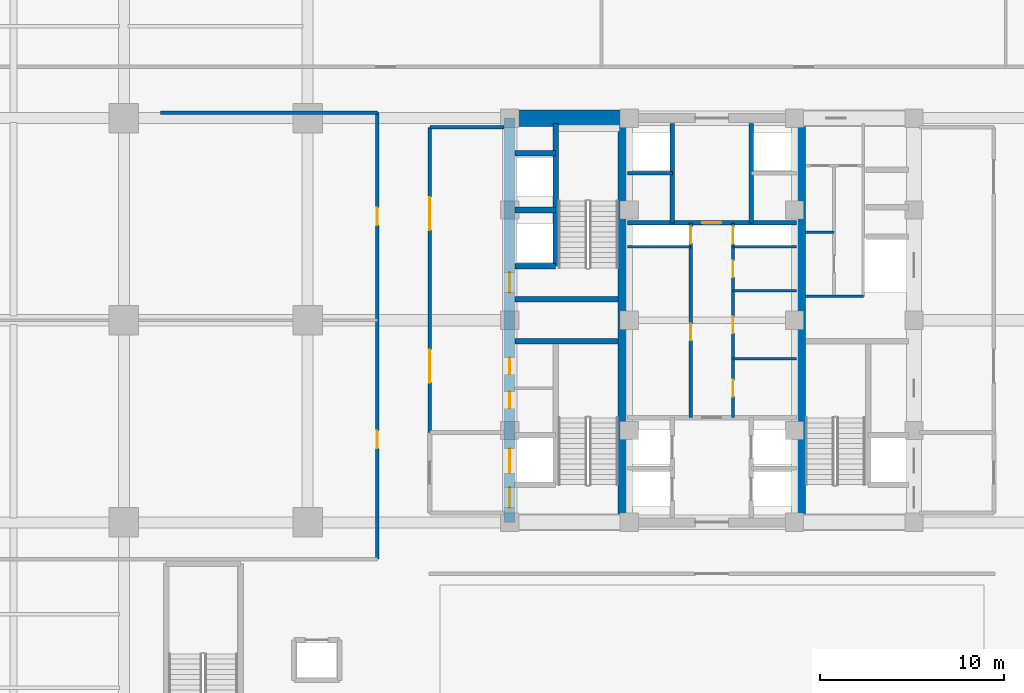
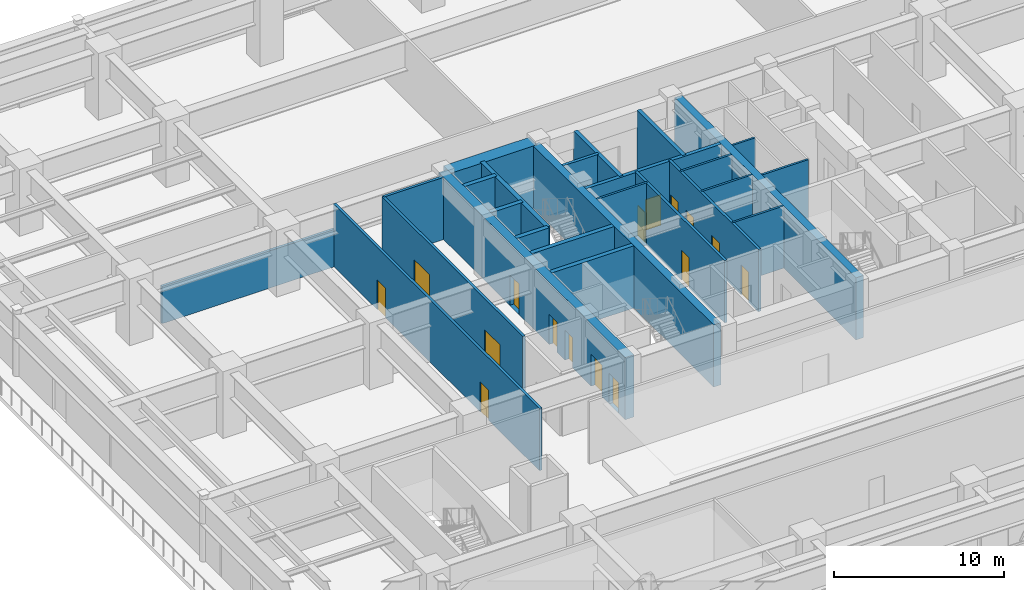
# One storey, part 27 of 38: 26 walls, 16 doors, 16 openings.
"""IFC4 building model written with IfcOpenShell, lengths in metres."""

from ifc_helpers import new_model, si_unit, direction, frame, frame_2d, origin, place, context, subcontext, project, spatial, rectangle, extrude, source, transform, mapped, material, layer, layer_set, type_object, element, fill, save


model = new_model("IFC4")

# Units and contexts
model_context = context("Model", 3, precision=1e-05, world=origin(), true_north=direction((0.0, 1.0)))
body_context = subcontext(model_context, "Body", "Model", "MODEL_VIEW")
ifc_project = project(units=[si_unit("LENGTHUNIT", "METRE"), si_unit("AREAUNIT", "SQUARE_METRE"), si_unit("VOLUMEUNIT", "CUBIC_METRE"), si_unit("PLANEANGLEUNIT", "RADIAN"), si_unit("MASSUNIT", "GRAM", prefix="KILO")], contexts=[model_context])

# Site, building, storey
site_placement = place(None, origin())
site = spatial("IfcSite", under=ifc_project, at=site_placement, CompositionType="ELEMENT")
building_placement = place(site_placement, origin())
building = spatial("IfcBuilding", under=site, at=building_placement, Name="Khorayat Bourse Tower", CompositionType="ELEMENT")
storey_placement = place(building_placement, frame((0.0, 0.0, 17.39990234375)))
storey = spatial("IfcBuildingStorey", under=building, at=storey_placement, Name="L03", CompositionType="ELEMENT", Elevation=17.39990234375)

# Wall, openings, doors
ifc_material_1 = material(Name="Concrete C60/75", Category="concrete")
ifc_layer_1 = layer(ifc_material_1, 0.60009765625)
ifc_layer_set_1 = layer_set([ifc_layer_1], Name="Concrete C60/75")
wall_type_1 = type_object("IfcWallType", Name="WAL-CORE-600", PredefinedType="SHEAR", material=ifc_layer_set_1)
shared_shape_1 = source(origin(), body_context, "Body", "SweptSolid", [
    extrude(rectangle(XDim=22.0, YDim=0.60009765625, at=frame_2d((11.0, 0.0))), origin(), (0.0, 0.0, 1.0), 4.47998046875),
])
wall_1_placement = place(storey_placement, frame((-11.0, -11.0, 0.0), z_axis=(0.0, 0.0, 1.0), x_axis=(0.0, 1.0, 0.0)))
wall_1 = element("IfcWall", 1, at=wall_1_placement, inside=storey, type_object=wall_type_1, Name="L03 Core Shear Wall CORE-W", PredefinedType="SHEAR", context=body_context, shape_type="MappedRepresentation", body=[
    mapped(shared_shape_1, transform((0.0, 0.0, 0.0), scale=1.0)),
])
shared_shape_2 = source(origin(), body_context, "Body", "SweptSolid", [
    extrude(rectangle(XDim=1.10009765625, YDim=2.199951171875, at=frame_2d((0.550048828125, 1.10009765625))), frame((0.0, 0.31005859375, 0.0), z_axis=(0.0, -1.0, 0.0), x_axis=(1.0, 0.0, 0.0)), (0.0, 0.0, 1.0), 0.6201171875),
])
opening_1_placement = place(wall_1_placement, frame((0.800048828125, 0.0, 0.0)))
opening_1 = element("IfcOpeningElement", 2, at=opening_1_placement, cuts=wall_1, Name="Opening DI-01", PredefinedType="OPENING", context=body_context, shape_type="MappedRepresentation", body=[
    mapped(shared_shape_2, transform((0.0, 0.0, 0.0), scale=1.0)),
])
opening_2_placement = place(wall_1_placement, frame((12.5, 0.0, 0.0)))
opening_2 = element("IfcOpeningElement", 3, at=opening_2_placement, cuts=wall_1, Name="Opening DI-01", PredefinedType="OPENING", context=body_context, shape_type="MappedRepresentation", body=[
    mapped(shared_shape_2, transform((0.0, 0.0, 0.0), scale=1.0)),
])
shared_shape_3 = source(origin(), body_context, "Body", "SweptSolid", [
    extrude(rectangle(XDim=0.89990234375, YDim=2.14990234375, at=frame_2d((0.449951171875, 1.074951171875))), frame((0.0, 0.31005859375, 0.0), z_axis=(0.0, -1.0, 0.0), x_axis=(1.0, 0.0, 0.0)), (0.0, 0.0, 1.0), 0.6201171875),
])
opening_3_placement = place(wall_1_placement, frame((6.199951171875, 0.0, 0.0)))
opening_3 = element("IfcOpeningElement", 4, at=opening_3_placement, cuts=wall_1, Name="Opening DI-06", PredefinedType="OPENING", context=body_context, shape_type="MappedRepresentation", body=[
    mapped(shared_shape_3, transform((0.0, 0.0, 0.0), scale=1.0)),
])
opening_4_placement = place(wall_1_placement, frame((8.050048828125, 0.0, 0.0)))
opening_4 = element("IfcOpeningElement", 5, at=opening_4_placement, cuts=wall_1, Name="Opening DI-06", PredefinedType="OPENING", context=body_context, shape_type="MappedRepresentation", body=[
    mapped(shared_shape_3, transform((0.0, 0.0, 0.0), scale=1.0)),
])
shared_shape_4 = source(origin(), body_context, "Body", "SweptSolid", [
    extrude(rectangle(XDim=1.300048828125, YDim=2.300048828125, at=frame_2d((0.64990234375, 1.14990234375))), frame((0.0, 0.31005859375, 0.0), z_axis=(0.0, -1.0, 0.0), x_axis=(1.0, 0.0, 0.0)), (0.0, 0.0, 1.0), 0.6201171875),
])
opening_5_placement = place(wall_1_placement, frame((2.699951171875, 0.0, 0.0)))
opening_5 = element("IfcOpeningElement", 6, at=opening_5_placement, cuts=wall_1, Name="Opening LD-02", PredefinedType="OPENING", context=body_context, shape_type="MappedRepresentation", body=[
    mapped(shared_shape_4, transform((0.0, 0.0, 0.0), scale=1.0)),
])
ifc_material_2 = material(Name="Fire-rated steel acoustic leaf", Category="steel")
door_type_1 = type_object("IfcDoorType", Name="DR-INT-STAIR-1100", OperationType="NOTDEFINED", PredefinedType="DOOR", material=ifc_material_2)
shared_shape_5 = source(origin(), body_context, "Body", "SweptSolid", [
    extrude(rectangle(XDim=1.10009765625, YDim=2.199951171875, at=frame_2d((0.550048828125, 1.10009765625))), frame((0.0, 0.02490234375, 0.0), z_axis=(0.0, -1.0, 0.0), x_axis=(1.0, 0.0, 0.0)), (0.0, 0.0, 1.0), 0.050048828125),
])
door_1_placement = place(opening_1_placement, origin())
door_1 = element("IfcDoor", 7, at=door_1_placement, inside=storey, type_object=door_type_1, Name="L03 Exit Stair 1 Door", OperationType="SINGLE_SWING_RIGHT", OverallHeight=2.199951171875, OverallWidth=1.10009765625, PredefinedType="DOOR", context=body_context, shape_type="MappedRepresentation", body=[
    mapped(shared_shape_5, transform((0.0, 0.0, 0.0), scale=1.0)),
])
fill(opening_1, door_1)
door_2_placement = place(opening_2_placement, origin())
door_2 = element("IfcDoor", 8, at=door_2_placement, inside=storey, type_object=door_type_1, Name="L03 Exit Stair 2 Door", OperationType="SINGLE_SWING_RIGHT", OverallHeight=2.199951171875, OverallWidth=1.10009765625, PredefinedType="DOOR", context=body_context, shape_type="MappedRepresentation", body=[
    mapped(shared_shape_5, transform((0.0, 0.0, 0.0), scale=1.0)),
])
fill(opening_2, door_2)
ifc_material_3 = material(Name="Moisture-resistant laminate washroom door")
door_type_2 = type_object("IfcDoorType", Name="DR-INT-WC-900", OperationType="NOTDEFINED", PredefinedType="DOOR", material=ifc_material_3)
shared_shape_6 = source(origin(), body_context, "Body", "SweptSolid", [
    extrude(rectangle(XDim=0.89990234375, YDim=2.14990234375, at=frame_2d((0.449951171875, 1.074951171875))), frame((0.0, 0.02490234375, 0.0), z_axis=(0.0, -1.0, 0.0), x_axis=(1.0, 0.0, 0.0)), (0.0, 0.0, 1.0), 0.050048828125),
])
door_3_placement = place(opening_3_placement, origin())
door_3 = element("IfcDoor", 9, at=door_3_placement, inside=storey, type_object=door_type_2, Name="L03 Electrical Plant Room Door", OperationType="SINGLE_SWING_RIGHT", OverallHeight=2.14990234375, OverallWidth=0.89990234375, PredefinedType="DOOR", context=body_context, shape_type="MappedRepresentation", body=[
    mapped(shared_shape_6, transform((0.0, 0.0, 0.0), scale=1.0)),
])
fill(opening_3, door_3)
door_4_placement = place(opening_4_placement, origin())
door_4 = element("IfcDoor", 10, at=door_4_placement, inside=storey, type_object=door_type_2, Name="L03 Cleaner Storage Room Door", OperationType="SINGLE_SWING_LEFT", OverallHeight=2.14990234375, OverallWidth=0.89990234375, PredefinedType="DOOR", context=body_context, shape_type="MappedRepresentation", body=[
    mapped(shared_shape_6, transform((0.0, 0.0, 0.0), scale=1.0)),
])
fill(opening_4, door_4)
ifc_material_4 = material(Name="Fire-rated stainless-steel sliding landing door", Category="steel")
door_type_3 = type_object("IfcDoorType", Name="DR-LIFT-FF-1300", OperationType="NOTDEFINED", PredefinedType="DOOR", material=ifc_material_4)
shared_shape_7 = source(origin(), body_context, "Body", "SweptSolid", [
    extrude(rectangle(XDim=1.300048828125, YDim=2.300048828125, at=frame_2d((0.64990234375, 1.14990234375))), frame((0.0, 0.02490234375, 0.0), z_axis=(0.0, -1.0, 0.0), x_axis=(1.0, 0.0, 0.0)), (0.0, 0.0, 1.0), 0.050048828125),
])
door_5_placement = place(opening_5_placement, origin())
door_5 = element("IfcDoor", 11, at=door_5_placement, inside=storey, type_object=door_type_3, Name="L03 Lift FFL-01 Sliding Landing Door", OperationType="SLIDING_TO_LEFT", OverallHeight=2.300048828125, OverallWidth=1.300048828125, PredefinedType="DOOR", context=body_context, shape_type="MappedRepresentation", body=[
    mapped(shared_shape_7, transform((0.0, 0.0, 0.0), scale=1.0)),
])
fill(opening_5, door_5)

# Walls
ifc_material_5 = material(Name="Concrete C52/65", Category="concrete")
ifc_layer_2 = layer(ifc_material_5, 0.5)
ifc_layer_set_2 = layer_set([ifc_layer_2], Name="Concrete C52/65")
wall_type_2 = type_object("IfcWallType", Name="WAL-CORE-500", PredefinedType="SHEAR", material=ifc_layer_set_2)
shared_shape_8 = source(origin(), body_context, "Body", "SweptSolid", [
    extrude(rectangle(XDim=21.39990234375, YDim=0.5, at=frame_2d((10.699951171875, 0.0))), origin(), (0.0, 0.0, 1.0), 4.47998046875),
])
for number, where, z_axis, x_axis, name in (
    (12, (-4.85009765625, -10.699951171875, 0.0), (0.0, 0.0, 1.0), (0.0, 1.0, 0.0), "L03 Core Shear Wall PIER-W"),
    (13, (4.85009765625, -10.699951171875, 0.0), (0.0, 0.0, 1.0), (0.0, 1.0, 0.0), "L03 Core Shear Wall PIER-E"),
):
    element("IfcWall", number, at=place(storey_placement, frame(where, z_axis=z_axis, x_axis=x_axis)), inside=storey, type_object=wall_type_2, Name=name, PredefinedType="SHEAR", context=body_context, shape_type="MappedRepresentation", body=[
        mapped(shared_shape_8, transform((0.0, 0.0, 0.0), scale=1.0)),
    ])
ifc_material_6 = material(Name="Concrete C72/90", Category="concrete")
ifc_layer_3 = layer(ifc_material_6, 0.89990234375)
ifc_layer_set_3 = layer_set([ifc_layer_3], Name="Concrete C72/90")
wall_type_3 = type_object("IfcWallType", Name="WAL-CORE-900", PredefinedType="SHEAR", material=ifc_layer_set_3)
shared_shape_9 = source(origin(), body_context, "Body", "SweptSolid", [
    extrude(rectangle(XDim=5.849853515625, YDim=0.89990234375, at=frame_2d((2.9248046875, 0.0))), origin(), (0.0, 0.0, 1.0), 4.47998046875),
])
wall_2_placement = place(storey_placement, frame((-10.699951171875, 11.0, 0.0), z_axis=(0.0, 0.0, 1.0), x_axis=(1.0, 0.0, 0.0)))
element("IfcWall", 14, at=wall_2_placement, inside=storey, type_object=wall_type_3, Name="L03 Core Shear Wall PIER-WN", PredefinedType="SHEAR", context=body_context, shape_type="MappedRepresentation", body=[
    mapped(shared_shape_9, transform((0.0, 0.0, 0.0), scale=1.0)),
])
ifc_material_7 = material(Name="Concrete C50/60", Category="concrete")
ifc_layer_4 = layer(ifc_material_7, 0.300048828125)
ifc_layer_set_4 = layer_set([ifc_layer_4], Name="Concrete C50/60")
wall_type_4 = type_object("IfcWallType", Name="WAL-SHAFT-300", PredefinedType="SHEAR", material=ifc_layer_set_4)
shared_shape_10 = source(origin(), body_context, "Body", "SweptSolid", [
    extrude(rectangle(XDim=5.599853515625, YDim=0.300048828125, at=frame_2d((2.7998046875, 0.0))), origin(), (0.0, 0.0, 1.0), 4.47998046875),
])
for number, where, z_axis, x_axis, name in (
    (15, (-10.699951171875, -1.14990234375, 0.0), (0.0, 0.0, 1.0), (1.0, 0.0, 0.0), "L03 Core Shear Wall ST1-DIV"),
    (16, (-10.699951171875, 1.14990234375, 0.0), (0.0, 0.0, 1.0), (1.0, 0.0, 0.0), "L03 Core Shear Wall ST2-DIV"),
):
    element("IfcWall", number, at=place(storey_placement, frame(where, z_axis=z_axis, x_axis=x_axis)), inside=storey, type_object=wall_type_4, Name=name, PredefinedType="SHEAR", context=body_context, shape_type="MappedRepresentation", body=[
        mapped(shared_shape_10, transform((0.0, 0.0, 0.0), scale=1.0)),
    ])
shared_shape_11 = source(origin(), body_context, "Body", "SweptSolid", [
    extrude(rectangle(XDim=2.199951171875, YDim=0.300048828125, at=frame_2d((1.10009765625, 0.0))), origin(), (0.0, 0.0, 1.0), 4.47998046875),
])
for number, where, z_axis, x_axis, name in (
    (17, (-10.699951171875, 2.949951171875, 0.0), (0.0, 0.0, 1.0), (1.0, 0.0, 0.0), "L03 Partition WAL-L03-WPIER-H1S"),
    (18, (-10.699951171875, 6.0, 0.0), (0.0, 0.0, 1.0), (1.0, 0.0, 0.0), "L03 Partition WAL-L03-WPIER-H12"),
    (19, (-10.699951171875, 9.10009765625, 0.0), (0.0, 0.0, 1.0), (1.0, 0.0, 0.0), "L03 Partition WAL-L03-WPIER-H2N"),
):
    element("IfcWall", number, at=place(storey_placement, frame(where, z_axis=z_axis, x_axis=x_axis)), inside=storey, type_object=wall_type_4, Name=name, PredefinedType="SHEAR", context=body_context, shape_type="MappedRepresentation", body=[
        mapped(shared_shape_11, transform((0.0, 0.0, 0.0), scale=1.0)),
    ])
shared_shape_12 = source(origin(), body_context, "Body", "SweptSolid", [
    extrude(rectangle(XDim=7.75, YDim=0.300048828125, at=frame_2d((3.875, 0.0))), origin(), (0.0, 0.0, 1.0), 4.47998046875),
])
wall_3_placement = place(storey_placement, frame((-8.5, 2.949951171875, 0.0), z_axis=(0.0, 0.0, 1.0), x_axis=(0.0, 1.0, 0.0)))
element("IfcWall", 20, at=wall_3_placement, inside=storey, type_object=wall_type_4, Name="L03 Partition WAL-L03-WPIER-ST2S", PredefinedType="SHEAR", context=body_context, shape_type="MappedRepresentation", body=[
    mapped(shared_shape_12, transform((0.0, 0.0, 0.0), scale=1.0)),
])
ifc_material_8 = material(Name="Moisture-resistant masonry partition", Category="masonry")
ifc_layer_5 = layer(ifc_material_8, 0.139892578125)
ifc_layer_set_5 = layer_set([ifc_layer_5], Name="Moisture-resistant masonry partition")
wall_type_5 = type_object("IfcWallType", Name="WAL-PART-WET-140", PredefinedType="PARTITIONING", material=ifc_layer_set_5)
shared_shape_13 = source(origin(), body_context, "Body", "SweptSolid", [
    extrude(rectangle(XDim=3.14990234375, YDim=0.139892578125, at=frame_2d((1.574951171875, 0.0))), origin(), (0.0, 0.0, 1.0), 4.47998046875),
])
wall_4_placement = place(storey_placement, frame((5.10009765625, 1.300048828125, 0.0), z_axis=(0.0, 0.0, 1.0), x_axis=(1.0, 0.0, 0.0)))
element("IfcWall", 21, at=wall_4_placement, inside=storey, type_object=wall_type_5, Name="L03 Partition WAL-L03-ECORE-S", PredefinedType="PARTITIONING", context=body_context, shape_type="MappedRepresentation", body=[
    mapped(shared_shape_13, transform((0.0, 0.0, 0.0), scale=1.0)),
])
ifc_material_9 = material(Name="Gypsum plasterboard acoustic stud wall")
ifc_layer_6 = layer(ifc_material_9, 0.179931640625)
ifc_layer_set_6 = layer_set([ifc_layer_6], Name="Gypsum plasterboard acoustic stud wall")
wall_type_6 = type_object("IfcWallType", Name="WAL-PART-CORR-180", PredefinedType="PARTITIONING", material=ifc_layer_set_6)
shared_shape_14 = source(origin(), body_context, "Body", "SweptSolid", [
    extrude(rectangle(XDim=4.050048828125, YDim=0.179931640625, at=frame_2d((2.02490234375, 0.0))), origin(), (0.0, 0.0, 1.0), 4.47998046875),
])
wall_5_placement = place(storey_placement, frame((-15.35009765625, 10.5, 0.0), z_axis=(0.0, 0.0, 1.0), x_axis=(1.0, 0.0, 0.0)))
element("IfcWall", 22, at=wall_5_placement, inside=storey, type_object=wall_type_6, Name="L03 Partition WAL-L03-WLOB-N", PredefinedType="PARTITIONING", context=body_context, shape_type="MappedRepresentation", body=[
    mapped(shared_shape_14, transform((0.0, 0.0, 0.0), scale=1.0)),
])

# Wall, openings, doors
shared_shape_15 = source(origin(), body_context, "Body", "SweptSolid", [
    extrude(rectangle(XDim=16.60009765625, YDim=0.179931640625, at=frame_2d((8.300048828125, 0.0))), origin(), (0.0, 0.0, 1.0), 4.47998046875),
])
wall_6_placement = place(storey_placement, frame((-15.35009765625, -6.10009765625, 0.0), z_axis=(0.0, 0.0, 1.0), x_axis=(0.0, 1.0, 0.0)))
wall_6 = element("IfcWall", 23, at=wall_6_placement, inside=storey, type_object=wall_type_6, Name="L03 Partition WAL-L03-WLOB-W", PredefinedType="PARTITIONING", context=body_context, shape_type="MappedRepresentation", body=[
    mapped(shared_shape_15, transform((0.0, 0.0, 0.0), scale=1.0)),
])
shared_shape_16 = source(origin(), body_context, "Body", "SweptSolid", [
    extrude(rectangle(XDim=1.800048828125, YDim=2.25, at=frame_2d((0.89990234375, 1.125))), frame((0.0, 0.099853515625, 0.0), z_axis=(0.0, -1.0, 0.0), x_axis=(1.0, 0.0, 0.0)), (0.0, 0.0, 1.0), 0.199951171875),
])
opening_6_placement = place(wall_6_placement, frame((2.699951171875, 0.0, 0.0)))
opening_6 = element("IfcOpeningElement", 24, at=opening_6_placement, cuts=wall_6, Name="Opening DI-03", PredefinedType="OPENING", context=body_context, shape_type="MappedRepresentation", body=[
    mapped(shared_shape_16, transform((0.0, 0.0, 0.0), scale=1.0)),
])
opening_7_placement = place(wall_6_placement, frame((11.0, 0.0, 0.0)))
opening_7 = element("IfcOpeningElement", 25, at=opening_7_placement, cuts=wall_6, Name="Opening DI-03", PredefinedType="OPENING", context=body_context, shape_type="MappedRepresentation", body=[
    mapped(shared_shape_16, transform((0.0, 0.0, 0.0), scale=1.0)),
])
ifc_material_10 = material(Name="Fire-rated hardwood vision-panel double leaf", Category="wood")
door_type_4 = type_object("IfcDoorType", Name="DR-INT-CORR-1800", OperationType="NOTDEFINED", PredefinedType="DOOR", material=ifc_material_10)
shared_shape_17 = source(origin(), body_context, "Body", "SweptSolid", [
    extrude(rectangle(XDim=1.800048828125, YDim=2.25, at=frame_2d((0.89990234375, 1.125))), frame((0.0, 0.02490234375, 0.0), z_axis=(0.0, -1.0, 0.0), x_axis=(1.0, 0.0, 0.0)), (0.0, 0.0, 1.0), 0.050048828125),
])
door_6_placement = place(opening_6_placement, origin())
door_6 = element("IfcDoor", 26, at=door_6_placement, inside=storey, type_object=door_type_4, Name="L03 West Core Lobby South Door", OperationType="SINGLE_SWING_LEFT", OverallHeight=2.25, OverallWidth=1.800048828125, PredefinedType="DOOR", context=body_context, shape_type="MappedRepresentation", body=[
    mapped(shared_shape_17, transform((0.0, 0.0, 0.0), scale=1.0)),
])
fill(opening_6, door_6)
door_7_placement = place(opening_7_placement, origin())
door_7 = element("IfcDoor", 27, at=door_7_placement, inside=storey, type_object=door_type_4, Name="L03 West Core Lobby North Door", OperationType="SINGLE_SWING_RIGHT", OverallHeight=2.25, OverallWidth=1.800048828125, PredefinedType="DOOR", context=body_context, shape_type="MappedRepresentation", body=[
    mapped(shared_shape_17, transform((0.0, 0.0, 0.0), scale=1.0)),
])
fill(opening_7, door_7)

# Walls
ifc_material_11 = material(Name="Gypsum plasterboard twin-frame partition")
ifc_layer_7 = layer(ifc_material_11, 0.14990234375)
ifc_layer_set_7 = layer_set([ifc_layer_7], Name="Gypsum plasterboard twin-frame partition")
wall_type_7 = type_object("IfcWallType", Name="WAL-PART-SUITE-150", PredefinedType="PARTITIONING", material=ifc_layer_set_7)
shared_shape_18 = source(origin(), body_context, "Body", "SweptSolid", [
    extrude(rectangle(XDim=3.4501953125, YDim=0.14990234375, at=frame_2d((1.72509765625, 0.0))), origin(), (0.0, 0.0, 1.0), 4.47998046875),
])
for number, where, z_axis, x_axis, name in (
    (28, (-4.60009765625, 4.0, 0.0), (0.0, 0.0, 1.0), (1.0, 0.0, 0.0), "L03 Partition WAL-L03-CRSW-S"),
    (29, (1.14990234375, 4.0, 0.0), (0.0, 0.0, 1.0), (1.0, 0.0, 0.0), "L03 Partition WAL-L03-CRSE-S"),
):
    element("IfcWall", number, at=place(storey_placement, frame(where, z_axis=z_axis, x_axis=x_axis)), inside=storey, type_object=wall_type_7, Name=name, PredefinedType="PARTITIONING", context=body_context, shape_type="MappedRepresentation", body=[
        mapped(shared_shape_18, transform((0.0, 0.0, 0.0), scale=1.0)),
    ])
shared_shape_19 = source(origin(), body_context, "Body", "SweptSolid", [
    extrude(rectangle(XDim=5.39990234375, YDim=0.25, at=frame_2d((2.699951171875, 0.0))), origin(), (0.0, 0.0, 1.0), 4.47998046875),
])
for number, where, z_axis, x_axis, name in (
    (30, (-2.14990234375, 5.300048828125, 0.0), (0.0, 0.0, 1.0), (0.0, 1.0, 0.0), "L03 Partition WAL-L03-B2-W"),
    (31, (2.14990234375, 5.300048828125, 0.0), (0.0, 0.0, 1.0), (0.0, 1.0, 0.0), "L03 Partition WAL-L03-B2-E"),
):
    element("IfcWall", number, at=place(storey_placement, frame(where, z_axis=z_axis, x_axis=x_axis)), inside=storey, type_object=wall_type_4, Name=name, PredefinedType="SHEAR", context=body_context, shape_type="MappedRepresentation", body=[
        mapped(shared_shape_19, transform((0.0, 0.0, 0.0), scale=1.0)),
    ])
shared_shape_20 = source(origin(), body_context, "Body", "SweptSolid", [
    extrude(rectangle(XDim=2.4501953125, YDim=0.199951171875, at=frame_2d((1.22509765625, 0.0))), origin(), (0.0, 0.0, 1.0), 4.47998046875),
])
wall_7_placement = place(storey_placement, frame((-4.60009765625, 8.0, 0.0), z_axis=(0.0, 0.0, 1.0), x_axis=(1.0, 0.0, 0.0)))
element("IfcWall", 32, at=wall_7_placement, inside=storey, type_object=wall_type_4, Name="L03 Partition WAL-L03-B2-MW", PredefinedType="SHEAR", context=body_context, shape_type="MappedRepresentation", body=[
    mapped(shared_shape_20, transform((0.0, 0.0, 0.0), scale=1.0)),
])

# Wall, opening, door
shared_shape_21 = source(origin(), body_context, "Body", "SweptSolid", [
    extrude(rectangle(XDim=9.2001953125, YDim=0.25, at=frame_2d((4.60009765625, 0.0))), origin(), (0.0, 0.0, 1.0), 4.47998046875),
])
wall_8_placement = place(storey_placement, frame((-4.60009765625, 5.300048828125, 0.0), z_axis=(0.0, 0.0, 1.0), x_axis=(1.0, 0.0, 0.0)))
wall_8 = element("IfcWall", 33, at=wall_8_placement, inside=storey, type_object=wall_type_4, Name="L03 Partition WAL-L03-B2-S", PredefinedType="SHEAR", context=body_context, shape_type="MappedRepresentation", body=[
    mapped(shared_shape_21, transform((0.0, 0.0, 0.0), scale=1.0)),
])
shared_shape_22 = source(origin(), body_context, "Body", "SweptSolid", [
    extrude(rectangle(XDim=1.050048828125, YDim=2.199951171875, at=frame_2d((0.52490234375, 1.10009765625))), frame((0.0, 0.135009765625, 0.0), z_axis=(0.0, -1.0, 0.0), x_axis=(1.0, 0.0, 0.0)), (0.0, 0.0, 1.0), 0.27001953125),
])
opening_8_placement = place(wall_8_placement, frame((4.074951171875, 0.0, 0.0)))
opening_8 = element("IfcOpeningElement", 34, at=opening_8_placement, cuts=wall_8, Name="Opening DI-04", PredefinedType="OPENING", context=body_context, shape_type="MappedRepresentation", body=[
    mapped(shared_shape_22, transform((0.0, 0.0, 0.0), scale=1.0)),
])
ifc_material_12 = material(Name="Fire-rated oak veneer suite entrance door")
door_type_5 = type_object("IfcDoorType", Name="DR-INT-SUITE-1050", OperationType="NOTDEFINED", PredefinedType="DOOR", material=ifc_material_12)
shared_shape_23 = source(origin(), body_context, "Body", "SweptSolid", [
    extrude(rectangle(XDim=1.050048828125, YDim=2.199951171875, at=frame_2d((0.52490234375, 1.10009765625))), frame((0.0, 0.02490234375, 0.0), z_axis=(0.0, -1.0, 0.0), x_axis=(1.0, 0.0, 0.0)), (0.0, 0.0, 1.0), 0.050048828125),
])
door_8_placement = place(opening_8_placement, origin())
door_8 = element("IfcDoor", 35, at=door_8_placement, inside=storey, type_object=door_type_5, Name="L03 Core Spine North Door", OperationType="SINGLE_SWING_RIGHT", OverallHeight=2.199951171875, OverallWidth=1.050048828125, PredefinedType="DOOR", context=body_context, shape_type="MappedRepresentation", body=[
    mapped(shared_shape_23, transform((0.0, 0.0, 0.0), scale=1.0)),
])
fill(opening_8, door_8)

# Walls
shared_shape_24 = source(origin(), body_context, "Body", "SweptSolid", [
    extrude(rectangle(XDim=3.4501953125, YDim=0.139892578125, at=frame_2d((1.72509765625, 0.0))), origin(), (0.0, 0.0, 1.0), 4.47998046875),
])
for number, where, z_axis, x_axis, name in (
    (36, (1.14990234375, -2.10009765625, 0.0), (0.0, 0.0, 1.0), (1.0, 0.0, 0.0), "L03 Partition WAL-L03-CME-D1"),
    (37, (1.14990234375, 1.60009765625, 0.0), (0.0, 0.0, 1.0), (1.0, 0.0, 0.0), "L03 Partition WAL-L03-CME-D2"),
):
    element("IfcWall", number, at=place(storey_placement, frame(where, z_axis=z_axis, x_axis=x_axis)), inside=storey, type_object=wall_type_5, Name=name, PredefinedType="PARTITIONING", context=body_context, shape_type="MappedRepresentation", body=[
        mapped(shared_shape_24, transform((0.0, 0.0, 0.0), scale=1.0)),
    ])

# Wall, openings, doors
shared_shape_25 = source(origin(), body_context, "Body", "SweptSolid", [
    extrude(rectangle(XDim=10.60009765625, YDim=0.179931640625, at=frame_2d((5.300048828125, 0.0))), origin(), (0.0, 0.0, 1.0), 4.47998046875),
])
wall_9_placement = place(storey_placement, frame((-1.14990234375, -5.300048828125, 0.0), z_axis=(0.0, 0.0, 1.0), x_axis=(0.0, 1.0, 0.0)))
wall_9 = element("IfcWall", 38, at=wall_9_placement, inside=storey, type_object=wall_type_6, Name="L03 Partition WAL-L03-CMW-L", PredefinedType="PARTITIONING", context=body_context, shape_type="MappedRepresentation", body=[
    mapped(shared_shape_25, transform((0.0, 0.0, 0.0), scale=1.0)),
])
shared_shape_26 = source(origin(), body_context, "Body", "SweptSolid", [
    extrude(rectangle(XDim=0.89990234375, YDim=2.14990234375, at=frame_2d((0.449951171875, 1.074951171875))), frame((0.0, 0.099853515625, 0.0), z_axis=(0.0, -1.0, 0.0), x_axis=(1.0, 0.0, 0.0)), (0.0, 0.0, 1.0), 0.199951171875),
])
opening_9_placement = place(wall_9_placement, frame((4.199951171875, 0.0, 0.0)))
opening_9 = element("IfcOpeningElement", 39, at=opening_9_placement, cuts=wall_9, Name="Opening DI-06", PredefinedType="OPENING", context=body_context, shape_type="MappedRepresentation", body=[
    mapped(shared_shape_26, transform((0.0, 0.0, 0.0), scale=1.0)),
])
opening_10_placement = place(wall_9_placement, frame((9.47509765625, 0.0, 0.0)))
opening_10 = element("IfcOpeningElement", 40, at=opening_10_placement, cuts=wall_9, Name="Opening DI-06", PredefinedType="OPENING", context=body_context, shape_type="MappedRepresentation", body=[
    mapped(shared_shape_26, transform((0.0, 0.0, 0.0), scale=1.0)),
])
door_9_placement = place(opening_9_placement, origin())
door_9 = element("IfcDoor", 41, at=door_9_placement, inside=storey, type_object=door_type_2, Name="L03 Male Core Washroom Door", OperationType="SINGLE_SWING_RIGHT", OverallHeight=2.14990234375, OverallWidth=0.89990234375, PredefinedType="DOOR", context=body_context, shape_type="MappedRepresentation", body=[
    mapped(shared_shape_6, transform((0.0, 0.0, 0.0), scale=1.0)),
])
fill(opening_9, door_9)
door_10_placement = place(opening_10_placement, origin())
door_10 = element("IfcDoor", 42, at=door_10_placement, inside=storey, type_object=door_type_2, Name="L03 West Core Riser Door", OperationType="SINGLE_SWING_LEFT", OverallHeight=2.14990234375, OverallWidth=0.89990234375, PredefinedType="DOOR", context=body_context, shape_type="MappedRepresentation", body=[
    mapped(shared_shape_6, transform((0.0, 0.0, 0.0), scale=1.0)),
])
fill(opening_10, door_10)

wall_10_placement = place(storey_placement, frame((1.14990234375, -5.300048828125, 0.0), z_axis=(0.0, 0.0, 1.0), x_axis=(0.0, 1.0, 0.0)))
wall_10 = element("IfcWall", 43, at=wall_10_placement, inside=storey, type_object=wall_type_6, Name="L03 Partition WAL-L03-CME-L", PredefinedType="PARTITIONING", context=body_context, shape_type="MappedRepresentation", body=[
    mapped(shared_shape_25, transform((0.0, 0.0, 0.0), scale=1.0)),
])
opening_11_placement = place(wall_10_placement, frame((1.14990234375, 0.0, 0.0)))
opening_11 = element("IfcOpeningElement", 44, at=opening_11_placement, cuts=wall_10, Name="Opening DI-06", PredefinedType="OPENING", context=body_context, shape_type="MappedRepresentation", body=[
    mapped(shared_shape_26, transform((0.0, 0.0, 0.0), scale=1.0)),
])
opening_12_placement = place(wall_10_placement, frame((4.60009765625, 0.0, 0.0)))
opening_12 = element("IfcOpeningElement", 45, at=opening_12_placement, cuts=wall_10, Name="Opening DI-06", PredefinedType="OPENING", context=body_context, shape_type="MappedRepresentation", body=[
    mapped(shared_shape_26, transform((0.0, 0.0, 0.0), scale=1.0)),
])
opening_13_placement = place(wall_10_placement, frame((7.64990234375, 0.0, 0.0)))
opening_13 = element("IfcOpeningElement", 46, at=opening_13_placement, cuts=wall_10, Name="Opening DI-06", PredefinedType="OPENING", context=body_context, shape_type="MappedRepresentation", body=[
    mapped(shared_shape_26, transform((0.0, 0.0, 0.0), scale=1.0)),
])
opening_14_placement = place(wall_10_placement, frame((9.47509765625, 0.0, 0.0)))
opening_14 = element("IfcOpeningElement", 47, at=opening_14_placement, cuts=wall_10, Name="Opening DI-06", PredefinedType="OPENING", context=body_context, shape_type="MappedRepresentation", body=[
    mapped(shared_shape_26, transform((0.0, 0.0, 0.0), scale=1.0)),
])
door_11_placement = place(opening_11_placement, origin())
door_11 = element("IfcDoor", 48, at=door_11_placement, inside=storey, type_object=door_type_2, Name="L03 Female Core Washroom Door", OperationType="SINGLE_SWING_RIGHT", OverallHeight=2.14990234375, OverallWidth=0.89990234375, PredefinedType="DOOR", context=body_context, shape_type="MappedRepresentation", body=[
    mapped(shared_shape_6, transform((0.0, 0.0, 0.0), scale=1.0)),
])
fill(opening_11, door_11)
door_12_placement = place(opening_12_placement, origin())
door_12 = element("IfcDoor", 49, at=door_12_placement, inside=storey, type_object=door_type_2, Name="L03 Cleaners Store Door", OperationType="SINGLE_SWING_LEFT", OverallHeight=2.14990234375, OverallWidth=0.89990234375, PredefinedType="DOOR", context=body_context, shape_type="MappedRepresentation", body=[
    mapped(shared_shape_6, transform((0.0, 0.0, 0.0), scale=1.0)),
])
fill(opening_12, door_12)
door_13_placement = place(opening_13_placement, origin())
door_13 = element("IfcDoor", 50, at=door_13_placement, inside=storey, type_object=door_type_2, Name="L03 Meter and BMS Plant Room Door", OperationType="SINGLE_SWING_RIGHT", OverallHeight=2.14990234375, OverallWidth=0.89990234375, PredefinedType="DOOR", context=body_context, shape_type="MappedRepresentation", body=[
    mapped(shared_shape_6, transform((0.0, 0.0, 0.0), scale=1.0)),
])
fill(opening_13, door_13)
door_14_placement = place(opening_14_placement, origin())
door_14 = element("IfcDoor", 51, at=door_14_placement, inside=storey, type_object=door_type_2, Name="L03 East Core Riser Door", OperationType="SINGLE_SWING_RIGHT", OverallHeight=2.14990234375, OverallWidth=0.89990234375, PredefinedType="DOOR", context=body_context, shape_type="MappedRepresentation", body=[
    mapped(shared_shape_6, transform((0.0, 0.0, 0.0), scale=1.0)),
])
fill(opening_14, door_14)

# Walls
shared_shape_27 = source(origin(), body_context, "Body", "SweptSolid", [
    extrude(rectangle(XDim=1.5498046875, YDim=0.139892578125, at=frame_2d((0.77490234375, 0.0))), origin(), (0.0, 0.0, 1.0), 4.47998046875),
])
wall_11_placement = place(storey_placement, frame((5.10009765625, 4.800048828125, 0.0), z_axis=(0.0, 0.0, 1.0), x_axis=(1.0, 0.0, 0.0)))
element("IfcWall", 52, at=wall_11_placement, inside=storey, type_object=wall_type_5, Name="L03 Partition WAL-L03-ECW-BOT", PredefinedType="PARTITIONING", context=body_context, shape_type="MappedRepresentation", body=[
    mapped(shared_shape_27, transform((0.0, 0.0, 0.0), scale=1.0)),
])
shared_shape_28 = source(origin(), body_context, "Body", "SweptSolid", [
    extrude(rectangle(XDim=11.800048828125, YDim=0.179931640625, at=frame_2d((5.89990234375, 0.0))), origin(), (0.0, 0.0, 1.0), 2.68017578125),
])
wall_12_placement = place(storey_placement, frame((-30.0, 11.300048828125, 0.0), z_axis=(0.0, 0.0, 1.0), x_axis=(1.0, 0.0, 0.0)))
element("IfcWall", 53, at=wall_12_placement, inside=storey, type_object=wall_type_6, Name="L03 Partition WAL-L03-PCORRN-SW", PredefinedType="PARTITIONING", context=body_context, shape_type="MappedRepresentation", body=[
    mapped(shared_shape_28, transform((0.0, 0.0, 0.0), scale=1.0)),
])

# Wall, openings, doors
shared_shape_29 = source(origin(), body_context, "Body", "SweptSolid", [
    extrude(rectangle(XDim=24.300048828125, YDim=0.179931640625, at=frame_2d((12.14990234375, 0.0))), origin(), (0.0, 0.0, 1.0), 4.47998046875),
])
wall_13_placement = place(storey_placement, frame((-18.199951171875, -13.0, 0.0), z_axis=(0.0, 0.0, 1.0), x_axis=(0.0, 1.0, 0.0)))
wall_13 = element("IfcWall", 54, at=wall_13_placement, inside=storey, type_object=wall_type_6, Name="L03 Partition WAL-L03-PCORRW-W", PredefinedType="PARTITIONING", context=body_context, shape_type="MappedRepresentation", body=[
    mapped(shared_shape_29, transform((0.0, 0.0, 0.0), scale=1.0)),
])
shared_shape_30 = source(origin(), body_context, "Body", "SweptSolid", [
    extrude(rectangle(XDim=0.949951171875, YDim=2.14990234375, at=frame_2d((0.47509765625, 1.074951171875))), frame((0.0, 0.099853515625, 0.0), z_axis=(0.0, -1.0, 0.0), x_axis=(1.0, 0.0, 0.0)), (0.0, 0.0, 1.0), 0.199951171875),
])
opening_15_placement = place(wall_13_placement, frame((6.02490234375, 0.0, 0.0)))
opening_15 = element("IfcOpeningElement", 55, at=opening_15_placement, cuts=wall_13, Name="Opening DI-05", PredefinedType="OPENING", context=body_context, shape_type="MappedRepresentation", body=[
    mapped(shared_shape_30, transform((0.0, 0.0, 0.0), scale=1.0)),
])
opening_16_placement = place(wall_13_placement, frame((18.175048828125, 0.0, 0.0)))
opening_16 = element("IfcOpeningElement", 56, at=opening_16_placement, cuts=wall_13, Name="Opening DI-05", PredefinedType="OPENING", context=body_context, shape_type="MappedRepresentation", body=[
    mapped(shared_shape_30, transform((0.0, 0.0, 0.0), scale=1.0)),
])
ifc_material_13 = material(Name="Acoustic oak veneer office door")
door_type_6 = type_object("IfcDoorType", Name="DR-INT-OFFICE-950", OperationType="NOTDEFINED", PredefinedType="DOOR", material=ifc_material_13)
shared_shape_31 = source(origin(), body_context, "Body", "SweptSolid", [
    extrude(rectangle(XDim=0.949951171875, YDim=2.14990234375, at=frame_2d((0.47509765625, 1.074951171875))), frame((0.0, 0.02490234375, 0.0), z_axis=(0.0, -1.0, 0.0), x_axis=(1.0, 0.0, 0.0)), (0.0, 0.0, 1.0), 0.050048828125),
])
door_15_placement = place(opening_15_placement, origin())
door_15 = element("IfcDoor", 57, at=door_15_placement, inside=storey, type_object=door_type_6, Name="L03 Public Washrooms Block Door", OperationType="SINGLE_SWING_RIGHT", OverallHeight=2.14990234375, OverallWidth=0.949951171875, PredefinedType="DOOR", context=body_context, shape_type="MappedRepresentation", body=[
    mapped(shared_shape_31, transform((0.0, 0.0, 0.0), scale=1.0)),
])
fill(opening_15, door_15)
door_16_placement = place(opening_16_placement, origin())
door_16 = element("IfcDoor", 58, at=door_16_placement, inside=storey, type_object=door_type_6, Name="L03 Staff Tea Pantry Door", OperationType="SINGLE_SWING_LEFT", OverallHeight=2.14990234375, OverallWidth=0.949951171875, PredefinedType="DOOR", context=body_context, shape_type="MappedRepresentation", body=[
    mapped(shared_shape_31, transform((0.0, 0.0, 0.0), scale=1.0)),
])
fill(opening_16, door_16)

save(model, "model.ifc")
